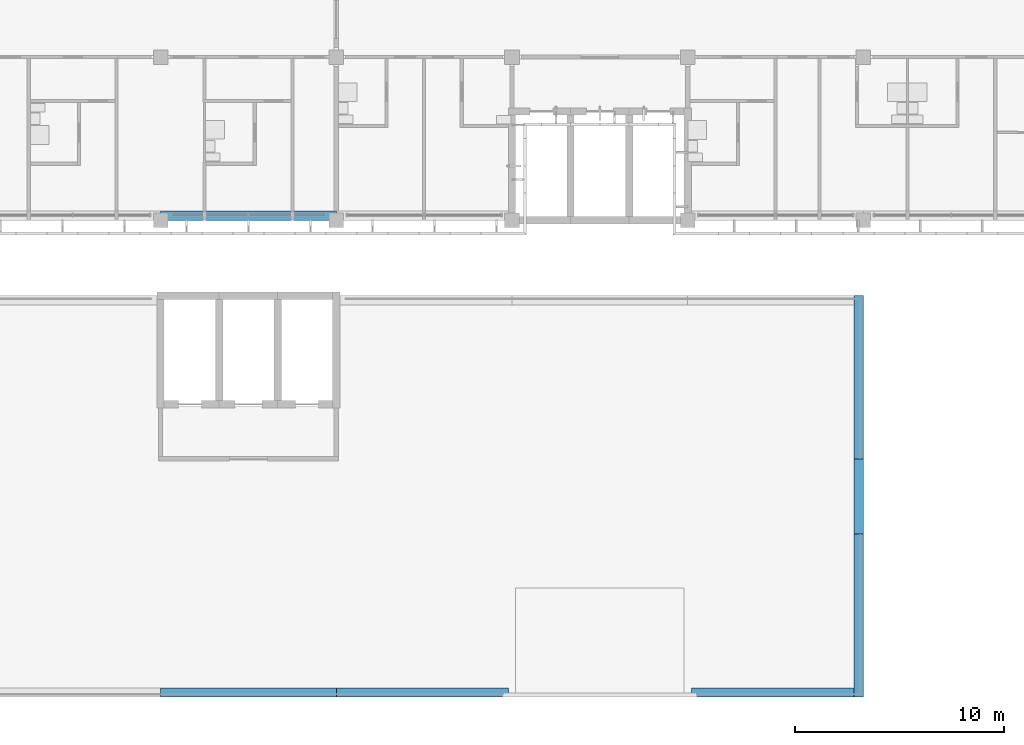
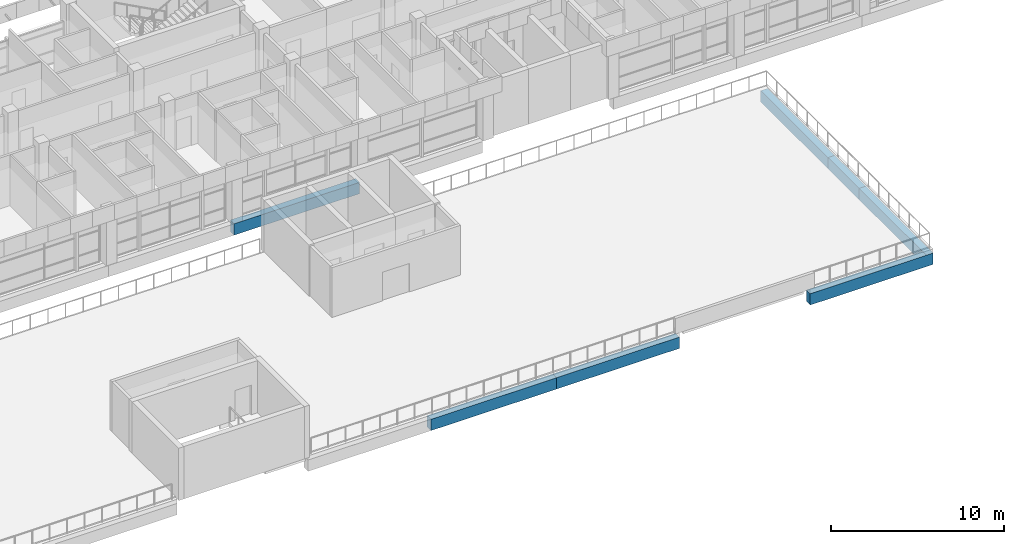
# One storey, part 9 of 46: 7 beams.
"""IFC4 building model written with IfcOpenShell, lengths in metres."""

from ifc_helpers import new_model, si_unit, direction, frame, origin, origin_2d, place, context, subcontext, project, spatial, rectangle, extrude, material, material_profile, profile_set, type_object, element, save


model = new_model("IFC4")

# Units and contexts
model_context = context("Model", 3, precision=1e-05, world=origin(), true_north=direction((0.0, 1.0)))
body_context = subcontext(model_context, "Body", "Model", "MODEL_VIEW")
ifc_project = project(units=[si_unit("LENGTHUNIT", "METRE"), si_unit("AREAUNIT", "SQUARE_METRE"), si_unit("VOLUMEUNIT", "CUBIC_METRE"), si_unit("PLANEANGLEUNIT", "RADIAN"), si_unit("MASSUNIT", "GRAM", prefix="KILO")], contexts=[model_context])

# Site, building, storey
site_placement = place(None, origin())
site = spatial("IfcSite", under=ifc_project, at=site_placement, CompositionType="ELEMENT")
building_placement = place(site_placement, origin())
building = spatial("IfcBuilding", under=site, at=building_placement, Name="Bougainvillea Quay General Hospital", CompositionType="ELEMENT")
storey_placement = place(building_placement, frame((0.0, 0.0, 28.800048828125)))
storey = spatial("IfcBuildingStorey", under=building, at=storey_placement, Name="L06", CompositionType="ELEMENT", Elevation=28.800048828125)

# Beams
ifc_material = material(Name="Concrete C40", Category="concrete")
ifc_material_profile = material_profile(ifc_material, rectangle(XDim=0.449951171875, YDim=0.800048828125, at=origin_2d()))
ifc_profile_set = profile_set([ifc_material_profile], Name="Concrete C40")
beam_type = type_object("IfcBeamType", Name="RC BEAM 450x800 C40", PredefinedType="BEAM", material=ifc_profile_set)
beam_1_placement = place(storey_placement, frame((134.39990234375, 140.625, -0.699951171875), z_axis=(1.0, 0.0, 0.0), x_axis=(0.0, 1.0, 0.0)))
element("IfcBeam", 1, at=beam_1_placement, inside=storey, type_object=beam_type, Name="Edge beam L06", PredefinedType="BEAM", context=body_context, shape_type="SweptSolid", body=[
    extrude(rectangle(XDim=0.449951171875, YDim=0.800048828125, at=origin_2d()), origin(), (0.0, 0.0, 1.0), 8.400146484375),
])
beam_2_placement = place(storey_placement, frame((167.77490234375, 117.60009765625, -0.699951171875), z_axis=(0.0, 1.0, 0.0), x_axis=(-1.0, 0.0, 0.0)))
element("IfcBeam", 2, at=beam_2_placement, inside=storey, type_object=beam_type, Name="Edge beam L06", PredefinedType="BEAM", context=body_context, shape_type="SweptSolid", body=[
    extrude(rectangle(XDim=0.449951171875, YDim=0.800048828125, at=origin_2d()), origin(), (0.0, 0.0, 1.0), 7.7998046875),
])
beam_3_placement = place(storey_placement, frame((167.77490234375, 125.39990234375, -0.699951171875), z_axis=(0.0, 1.0, 0.0), x_axis=(-1.0, 0.0, 0.0)))
element("IfcBeam", 3, at=beam_3_placement, inside=storey, type_object=beam_type, Name="Edge beam L06", PredefinedType="BEAM", context=body_context, shape_type="SweptSolid", body=[
    extrude(rectangle(XDim=0.449951171875, YDim=0.800048828125, at=origin_2d()), origin(), (0.0, 0.0, 1.0), 3.60009765625),
])
beam_4_placement = place(storey_placement, frame((167.77490234375, 129.0, -0.699951171875), z_axis=(0.0, 1.0, 0.0), x_axis=(-1.0, 0.0, 0.0)))
element("IfcBeam", 4, at=beam_4_placement, inside=storey, type_object=beam_type, Name="Edge beam L06", PredefinedType="BEAM", context=body_context, shape_type="SweptSolid", body=[
    extrude(rectangle(XDim=0.449951171875, YDim=0.800048828125, at=origin_2d()), origin(), (0.0, 0.0, 1.0), 7.800048828125),
])
beam_5_placement = place(storey_placement, frame((134.39990234375, 117.824951171875, -0.699951171875), z_axis=(1.0, 0.0, 0.0), x_axis=(0.0, 1.0, 0.0)))
element("IfcBeam", 5, at=beam_5_placement, inside=storey, type_object=beam_type, Name="Edge beam L06", PredefinedType="BEAM", context=body_context, shape_type="SweptSolid", body=[
    extrude(rectangle(XDim=0.449951171875, YDim=0.800048828125, at=origin_2d()), origin(), (0.0, 0.0, 1.0), 8.400146484375),
])
beam_6_placement = place(storey_placement, frame((142.800048828125, 117.824951171875, -0.699951171875), z_axis=(1.0, 0.0, 0.0), x_axis=(0.0, 1.0, 0.0)))
element("IfcBeam", 6, at=beam_6_placement, inside=storey, type_object=beam_type, Name="Edge beam L06", PredefinedType="BEAM", context=body_context, shape_type="SweptSolid", body=[
    extrude(rectangle(XDim=0.449951171875, YDim=0.800048828125, at=origin_2d()), origin(), (0.0, 0.0, 1.0), 8.224853515625),
])
beam_7_placement = place(storey_placement, frame((159.77490234375, 117.824951171875, -0.699951171875), z_axis=(1.0, 0.0, 0.0), x_axis=(0.0, 1.0, 0.0)))
element("IfcBeam", 7, at=beam_7_placement, inside=storey, type_object=beam_type, Name="Edge beam L06", PredefinedType="BEAM", context=body_context, shape_type="SweptSolid", body=[
    extrude(rectangle(XDim=0.449951171875, YDim=0.800048828125, at=origin_2d()), origin(), (0.0, 0.0, 1.0), 8.22509765625),
])

save(model, "model.ifc")
